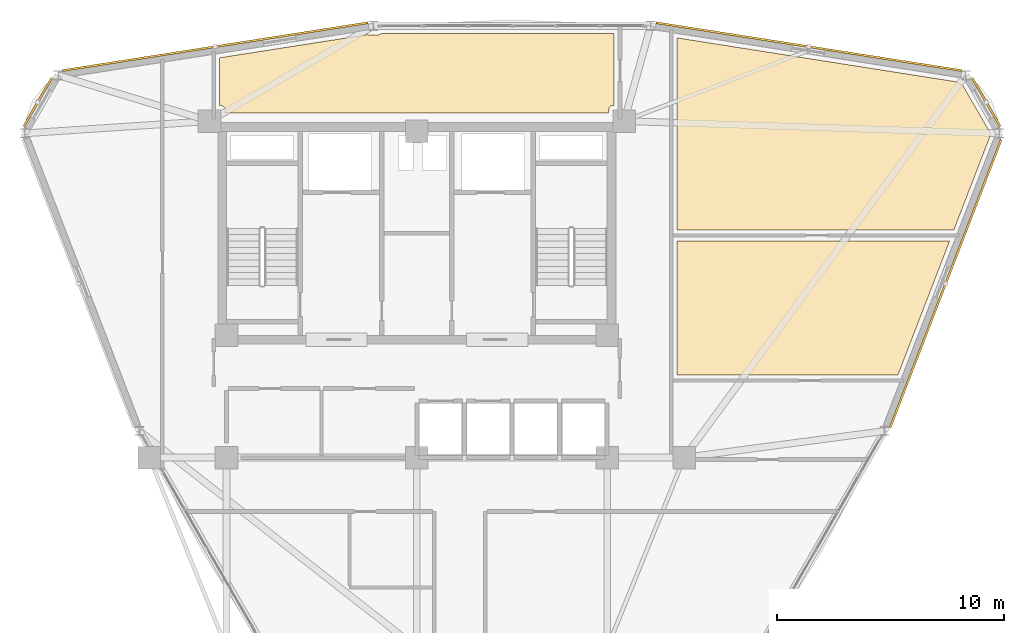
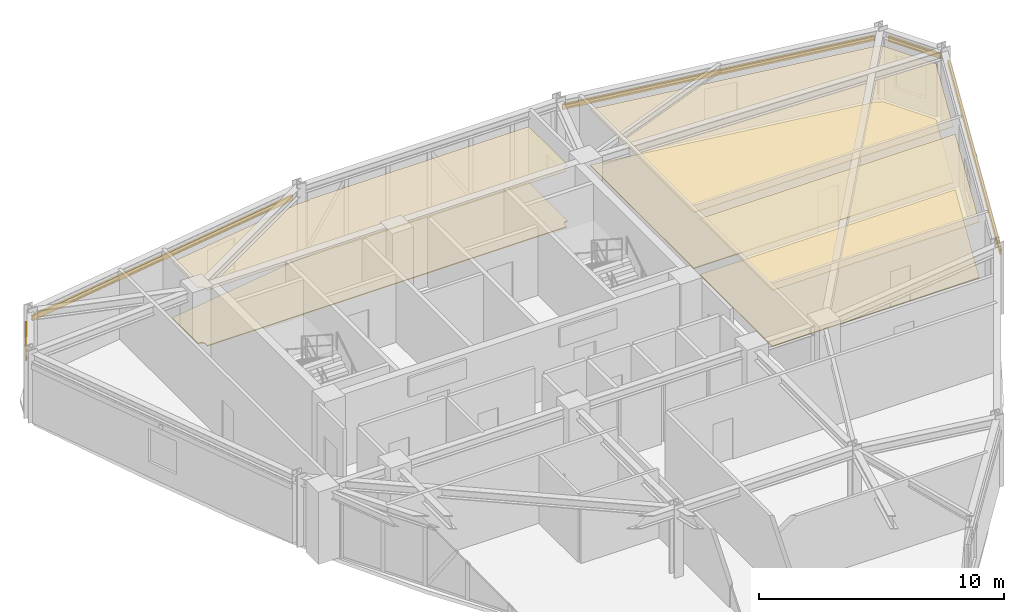
# One storey, part 16 of 16: 6 coverings, 5 shading devices.
"""IFC4 building model written with IfcOpenShell, lengths in metres."""

from ifc_helpers import new_model, si_unit, derived_unit, direction, frame, origin, origin_2d, place, context, subcontext, project, spatial, polyline, hollow_rectangle, outline, extrude, source, transform, mapped, material, layer, layer_set, material_profile, profile_set, type_object, element, save


model = new_model("IFC4")

# Units and contexts
model_context = context("Model", 3, precision=1e-05, world=origin(), true_north=direction((0.0, 1.0)))
body_context = subcontext(model_context, "Body", "Model", "MODEL_VIEW")
ifc_project = project(units=[si_unit("LENGTHUNIT", "METRE"), si_unit("AREAUNIT", "SQUARE_METRE"), si_unit("VOLUMEUNIT", "CUBIC_METRE"), si_unit("PLANEANGLEUNIT", "RADIAN"), si_unit("MASSUNIT", "GRAM", prefix="KILO"), derived_unit("THERMALTRANSMITTANCEUNIT", [(si_unit("POWERUNIT", "WATT"), 1), (si_unit("LENGTHUNIT", "METRE"), -2), (si_unit("THERMODYNAMICTEMPERATUREUNIT", "KELVIN"), -1)])], contexts=[model_context])

# Site, building, storey
site_placement = place(None, origin())
site = spatial("IfcSite", under=ifc_project, at=site_placement, CompositionType="ELEMENT")
building_placement = place(site_placement, origin())
building = spatial("IfcBuilding", under=site, at=building_placement, Name="Korsvarv Bourse and Concert Hall", CompositionType="ELEMENT")
storey_placement = place(building_placement, frame((0.0, 0.0, 220.199951171875)))
storey = spatial("IfcBuildingStorey", under=building, at=storey_placement, Name="L57", CompositionType="ELEMENT", Elevation=220.199951171875)

# Coverings
ifc_material_1 = material(Name="Perforated mineral-wool and birch acoustic baffle ceiling", Category="wood")
ifc_layer_1 = layer(ifc_material_1, 0.02490234375)
ifc_layer_set_1 = layer_set([ifc_layer_1], Name="Perforated mineral-wool and birch acoustic baffle ceiling")
covering_type_1 = type_object("IfcCoveringType", Name="COV-CEIL-1", PredefinedType="CEILING", material=ifc_layer_set_1)
covering_1_placement = place(storey_placement, frame((0.0, 0.0, 2.7900390625)))
element("IfcCovering", 1, at=covering_1_placement, inside=storey, type_object=covering_type_1, Name="L57 acoustic baffle ceiling 1", PredefinedType="CEILING", context=body_context, shape_type="SweptSolid", body=[
    extrude(outline(polyline([(59.8564453125, 48.976806640625), (59.876953125, 48.947265625), (59.90283203125, 48.922119140625), (59.933349609375, 48.902587890625), (59.967041015625, 48.889892578125), (60.00244140625, 48.8837890625), (60.060546875, 48.880126953125), (61.314208984375, 46.708984375), (61.314208984375, 46.63427734375), (59.69970703125, 42.449951171875), (47.47998046875, 42.449951171875), (47.47998046875, 50.923828125), (59.8564453125, 48.976806640625)])), origin(), (0.0, 0.0, 1.0), 0.02490234375),
])
covering_2_placement = place(storey_placement, frame((0.0, 0.0, 2.7900390625)))
element("IfcCovering", 2, at=covering_2_placement, inside=storey, type_object=covering_type_1, Name="L57 acoustic baffle ceiling 2", PredefinedType="CEILING", context=body_context, shape_type="SweptSolid", body=[
    extrude(outline(polyline([(47.47998046875, 36.050048828125), (47.47998046875, 41.949951171875), (59.506591796875, 41.949951171875), (57.230224609375, 36.050048828125), (47.47998046875, 36.050048828125)])), origin(), (0.0, 0.0, 1.0), 0.02490234375),
])
covering_3_placement = place(storey_placement, frame((0.0, 0.0, 2.7900390625)))
element("IfcCovering", 3, at=covering_3_placement, inside=storey, type_object=covering_type_1, Name="L57 acoustic baffle ceiling 3", PredefinedType="CEILING", context=body_context, shape_type="SweptSolid", body=[
    extrude(outline(polyline([(33.822265625, 51.065185546875), (33.84814453125, 51.06005859375), (34.281005859375, 51.052001953125), (34.317138671875, 51.054931640625), (34.35205078125, 51.065185546875), (34.38427734375, 51.08251953125), (34.412109375, 51.105712890625), (44.7099609375, 51.10986328125), (44.7099609375, 47.93994140625), (44.64990234375, 47.93994140625), (44.615478515625, 47.936767578125), (44.582275390625, 47.9267578125), (44.5517578125, 47.910888671875), (44.524658203125, 47.88916015625), (44.502197265625, 47.86279296875), (44.4853515625, 47.83251953125), (44.474365234375, 47.799560546875), (44.47021484375, 47.765380859375), (44.465087890625, 47.60009765625), (27.5400390625, 47.60009765625), (27.5400390625, 47.75), (27.53662109375, 47.7841796875), (27.527099609375, 47.817138671875), (27.510986328125, 47.84765625), (27.48974609375, 47.874755859375), (27.463623046875, 47.897216796875), (27.433837890625, 47.914306640625), (27.4013671875, 47.92529296875), (27.3671875, 47.929931640625), (27.2900390625, 47.932861328125), (27.2900390625, 50.0419921875), (33.822265625, 51.065185546875)])), origin(), (0.0, 0.0, 1.0), 0.02490234375),
])
ifc_material_2 = material(Name="Calcium-sulphate raised access trading floor with Nordic oak top", Category="wood")
ifc_layer_2 = layer(ifc_material_2, 0.0400390625)
ifc_layer_set_2 = layer_set([ifc_layer_2], Name="Calcium-sulphate raised access trading floor with Nordic oak top")
covering_type_2 = type_object("IfcCoveringType", Name="COV-FLOR-1", PredefinedType="FLOORING", material=ifc_layer_set_2)
covering_4_placement = place(storey_placement, origin())
element("IfcCovering", 4, at=covering_4_placement, inside=storey, type_object=covering_type_2, Name="L57 raised access oak floor finish 1", PredefinedType="FLOORING", context=body_context, shape_type="SweptSolid", body=[
    extrude(outline(polyline([(59.8564453125, 48.976806640625), (59.876953125, 48.947265625), (59.90283203125, 48.922119140625), (59.933349609375, 48.902587890625), (59.967041015625, 48.889892578125), (60.00244140625, 48.8837890625), (60.060546875, 48.880126953125), (61.314208984375, 46.708984375), (61.314208984375, 46.63427734375), (59.69970703125, 42.449951171875), (47.47998046875, 42.449951171875), (47.47998046875, 50.923828125), (59.8564453125, 48.976806640625)])), origin(), (0.0, 0.0, 1.0), 0.0400390625),
])
covering_5_placement = place(storey_placement, origin())
element("IfcCovering", 5, at=covering_5_placement, inside=storey, type_object=covering_type_2, Name="L57 raised access oak floor finish 2", PredefinedType="FLOORING", context=body_context, shape_type="SweptSolid", body=[
    extrude(outline(polyline([(47.47998046875, 36.050048828125), (47.47998046875, 41.949951171875), (59.506591796875, 41.949951171875), (57.230224609375, 36.050048828125), (47.47998046875, 36.050048828125)])), origin(), (0.0, 0.0, 1.0), 0.0400390625),
])
covering_6_placement = place(storey_placement, origin())
element("IfcCovering", 6, at=covering_6_placement, inside=storey, type_object=covering_type_2, Name="L57 raised access oak floor finish 3", PredefinedType="FLOORING", context=body_context, shape_type="SweptSolid", body=[
    extrude(outline(polyline([(33.822265625, 51.065185546875), (33.84814453125, 51.06005859375), (34.281005859375, 51.052001953125), (34.317138671875, 51.054931640625), (34.35205078125, 51.065185546875), (34.38427734375, 51.08251953125), (34.412109375, 51.105712890625), (44.7099609375, 51.10986328125), (44.7099609375, 47.93994140625), (44.64990234375, 47.93994140625), (44.615478515625, 47.936767578125), (44.582275390625, 47.9267578125), (44.5517578125, 47.910888671875), (44.524658203125, 47.88916015625), (44.502197265625, 47.86279296875), (44.4853515625, 47.83251953125), (44.474365234375, 47.799560546875), (44.47021484375, 47.765380859375), (44.465087890625, 47.60009765625), (27.5400390625, 47.60009765625), (27.5400390625, 47.75), (27.53662109375, 47.7841796875), (27.527099609375, 47.817138671875), (27.510986328125, 47.84765625), (27.48974609375, 47.874755859375), (27.463623046875, 47.897216796875), (27.433837890625, 47.914306640625), (27.4013671875, 47.92529296875), (27.3671875, 47.929931640625), (27.2900390625, 47.932861328125), (27.2900390625, 50.0419921875), (33.822265625, 51.065185546875)])), origin(), (0.0, 0.0, 1.0), 0.0400390625),
])

# Shading devices
ifc_material_3 = material(Name="Glazed extruded architectural terracotta", Category="ceramic")
ifc_material_profile = material_profile(ifc_material_3, hollow_rectangle(XDim=0.090087890625, YDim=0.260009765625, WallThickness=0.011962890625, at=origin_2d()), Name="TC-BAG 90x260")
ifc_profile_set = profile_set([ifc_material_profile], Name="Glazed extruded architectural terracotta")
shading_device_type = type_object("IfcShadingDeviceType", Name="SHD-BAG-1", PredefinedType="USERDEFINED", material=ifc_profile_set)
shared_shape_1 = source(origin(), body_context, "Body", "SweptSolid", [
    extrude(hollow_rectangle(XDim=0.090087890625, YDim=0.260009765625, WallThickness=0.011962890625, at=origin_2d()), origin(), (0.0, 0.0, 1.0), 2.467529296875),
])
for number, where, z_axis, x_axis, name in (
    (7, (61.744384765625, 47.013916015625, 2.860107421875), (-0.500033620833, 0.866005991917, 0.0), (-0.866005991917, -0.500033620833, 0.0), "L57 terracotta baguette sunshade EW-L57-B01"),
    (8, (19.8896484375, 49.15087890625, 2.860107421875), (-0.500033620833, -0.866005991917, 0.0), (0.866005991917, -0.500033620833, 0.0), "L57 terracotta baguette sunshade EW-L57-B05"),
):
    element("IfcShadingDevice", number, at=place(storey_placement, frame(where, z_axis=z_axis, x_axis=x_axis)), inside=storey, type_object=shading_device_type, Name=name, ObjectType="BAGUETTE", PredefinedType="USERDEFINED", context=body_context, shape_type="MappedRepresentation", body=[
        mapped(shared_shape_1, transform((0.0, 0.0, 0.0), scale=1.0)),
    ])
shared_shape_2 = source(origin(), body_context, "Body", "SweptSolid", [
    extrude(hollow_rectangle(XDim=0.090087890625, YDim=0.260009765625, WallThickness=0.011962890625, at=origin_2d()), origin(), (0.0, 0.0, 1.0), 13.65673828125),
])
for number, where, z_axis, x_axis, name in (
    (9, (60.04638671875, 49.47705078125, 2.860107421875), (-0.987957437721, 0.154725890697, 0.0), (-0.154725890697, -0.987957437721, 0.0), "L57 terracotta baguette sunshade EW-L57-B02"),
    (10, (33.845947265625, 51.590087890625, 2.800048828125), (-0.987957437721, -0.154725890697, 0.0), (0.154725890697, -0.987957437721, 0.0), "L57 terracotta baguette sunshade EW-L57-B04"),
):
    element("IfcShadingDevice", number, at=place(storey_placement, frame(where, z_axis=z_axis, x_axis=x_axis)), inside=storey, type_object=shading_device_type, Name=name, ObjectType="BAGUETTE", PredefinedType="USERDEFINED", context=body_context, shape_type="MappedRepresentation", body=[
        mapped(shared_shape_2, transform((0.0, 0.0, 0.0), scale=1.0)),
    ])
shared_shape_3 = source(origin(), body_context, "Body", "SweptSolid", [
    extrude(hollow_rectangle(XDim=0.090087890625, YDim=0.260009765625, WallThickness=0.011962890625, at=origin_2d()), origin(), (0.0, 0.0, 1.0), 13.621337890625),
])
shading_device_placement = place(storey_placement, frame((56.885009765625, 33.72412109375, 2.860107421875), z_axis=(0.359956541612, 0.93296907138, 0.0), x_axis=(-0.93296907138, 0.359956541612, 0.0)))
element("IfcShadingDevice", 11, at=shading_device_placement, inside=storey, type_object=shading_device_type, Name="L57 terracotta baguette sunshade EW-L57-B12", ObjectType="BAGUETTE", PredefinedType="USERDEFINED", context=body_context, shape_type="MappedRepresentation", body=[
    mapped(shared_shape_3, transform((0.0, 0.0, 0.0), scale=1.0)),
])

save(model, "model.ifc")
